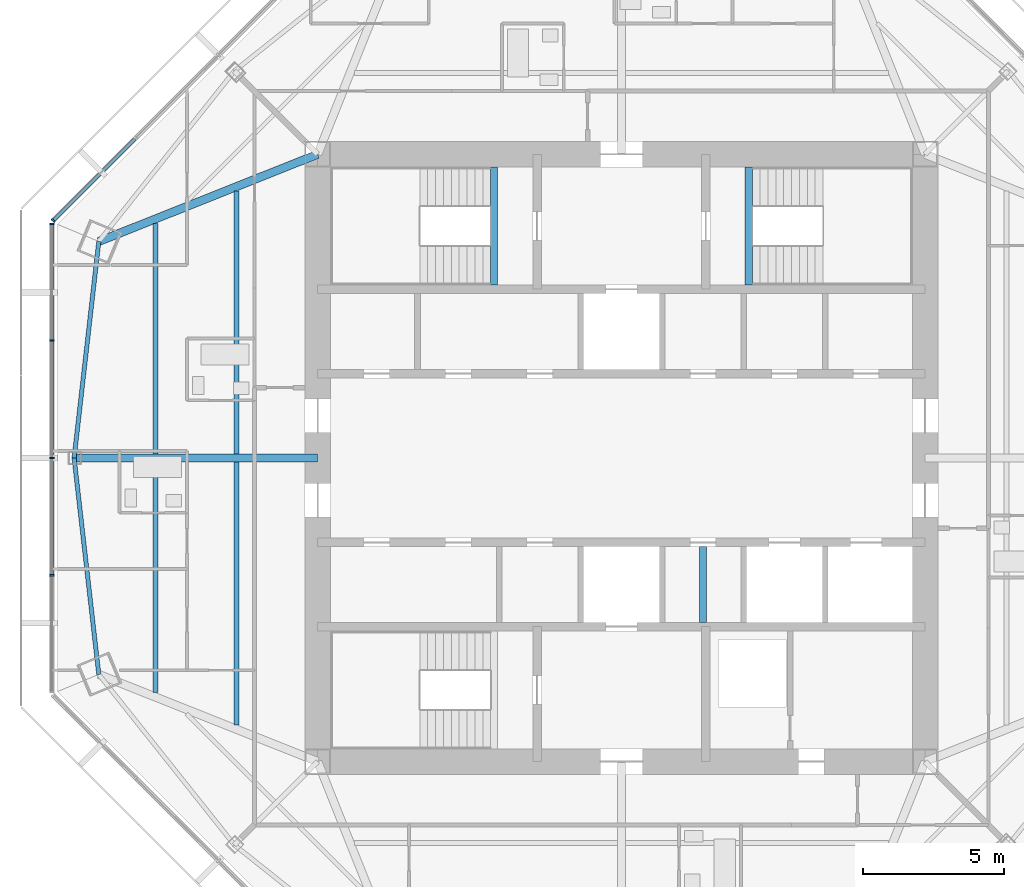
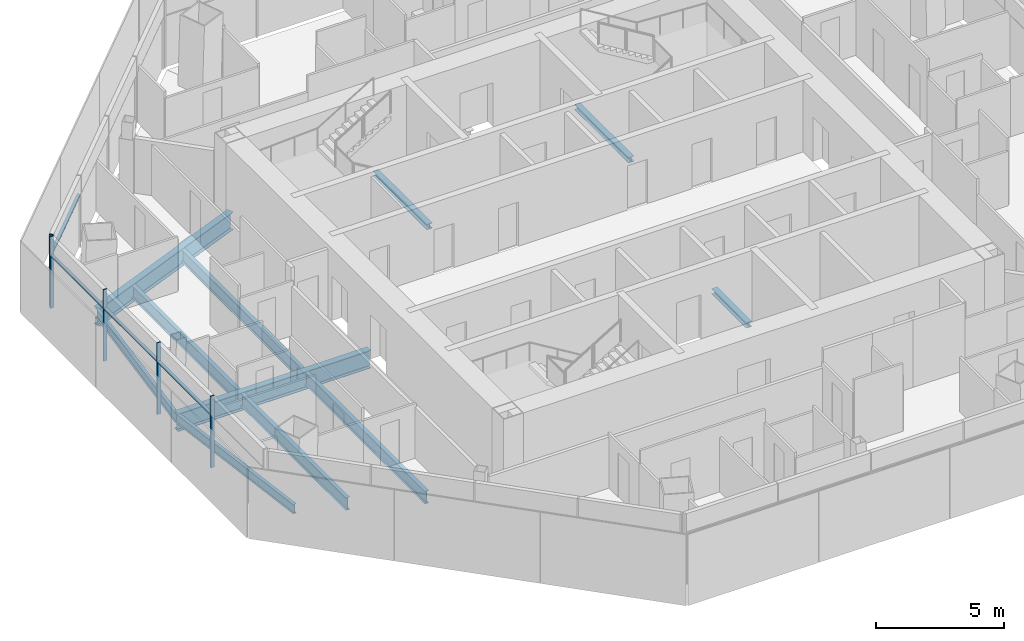
# One storey, part 4 of 15: 11 beams, 9 members, 2 elements without a shape of their own.
"""IFC4 building model written with IfcOpenShell, lengths in metres."""

from ifc_helpers import new_model, si_unit, direction, frame, origin, origin_2d, place, context, subcontext, project, spatial, rectangle, i_section, extrude, source, transform, mapped, material, material_profile, profile_set, type_object, type_shapes, element, aggregate, save


model = new_model("IFC4")

# Units and contexts
model_context = context("Model", 3, precision=1e-05, world=origin(), true_north=direction((0.0, 1.0)))
body_context = subcontext(model_context, "Body", "Model", "MODEL_VIEW")
ifc_project = project(units=[si_unit("LENGTHUNIT", "METRE"), si_unit("AREAUNIT", "SQUARE_METRE"), si_unit("VOLUMEUNIT", "CUBIC_METRE"), si_unit("PLANEANGLEUNIT", "RADIAN"), si_unit("MASSUNIT", "GRAM", prefix="KILO")], contexts=[model_context])

# Site, building, storey
site_placement = place(None, origin())
site = spatial("IfcSite", under=ifc_project, at=site_placement, CompositionType="ELEMENT")
building_placement = place(site_placement, origin())
building = spatial("IfcBuilding", under=site, at=building_placement, Name="Mashrafa Tower", CompositionType="ELEMENT")
storey_placement = place(building_placement, frame((0.0, 0.0, 274.199951171875)))
storey = spatial("IfcBuildingStorey", under=building, at=storey_placement, Name="L66", CompositionType="ELEMENT", Elevation=274.199951171875)

# Beams
ifc_material_1 = material(Name="Steel ASTM A992", Category="steel")
ifc_material_profile_1 = material_profile(ifc_material_1, i_section(OverallWidth=0.15234375, OverallDepth=0.449462890625, WebThickness=0.007568359375, FlangeThickness=0.0107421875, FilletRadius=0.01025390625, at=origin_2d()), Name="W18X35")
ifc_profile_set_1 = profile_set([ifc_material_profile_1], Name="Steel ASTM A992")
beam_type_1 = type_object("IfcBeamType", Name="Beam W18X35", PredefinedType="BEAM", material=ifc_profile_set_1)
for number, where, z_axis, x_axis, name in (
    (1, (-19.463623046875, 0.0, -0.4248046875), (0.113339530152, -0.993556314914, 0.0), (0.993556314914, 0.113339530152, 0.0), "Spandrel beam L66 041"),
    (2, (-18.58544921875, 7.6982421875, -0.4248046875), (-0.113339530152, -0.993556314914, 0.0), (0.993556314914, -0.113339530152, 0.0), "Spandrel beam L66 043"),
):
    element("IfcBeam", number, at=place(storey_placement, frame(where, z_axis=z_axis, x_axis=x_axis)), inside=storey, type_object=beam_type_1, Name=name, PredefinedType="BEAM", context=body_context, shape_type="SweptSolid", body=[
        extrude(i_section(OverallWidth=0.15234375, OverallDepth=0.449462890625, WebThickness=0.007568359375, FlangeThickness=0.0107421875, FilletRadius=0.01025390625, at=origin_2d()), origin(), (0.0, 0.0, 1.0), 7.748291015625),
    ])
ifc_material_2 = material(Name="Steel ASTM A992", Category="steel")
ifc_material_profile_2 = material_profile(ifc_material_2, i_section(OverallWidth=0.177978515625, OverallDepth=0.599365234375, WebThickness=0.010009765625, FlangeThickness=0.012939453125, FilletRadius=0.012939453125, at=origin_2d()), Name="W24X55")
ifc_profile_set_2 = profile_set([ifc_material_profile_2], Name="Steel ASTM A992")
beam_type_2 = type_object("IfcBeamType", Name="Beam W24X55", PredefinedType="BEAM", material=ifc_profile_set_2)
for number, where, z_axis, x_axis, name in (
    (3, (-16.57568359375, -8.341796875, -0.499755859375), (0.0, 1.0, 0.0), (-1.0, 0.0, 0.0), "Floor beam L66 001"),
    (4, (-16.57568359375, 0.14599609375, -0.499755859375), (0.0, 1.0, 0.0), (-1.0, 0.0, 0.0), "Floor beam L66 002"),
):
    element("IfcBeam", number, at=place(storey_placement, frame(where, z_axis=z_axis, x_axis=x_axis)), inside=storey, type_object=beam_type_2, Name=name, PredefinedType="BEAM", context=body_context, shape_type="SweptSolid", body=[
        extrude(i_section(OverallWidth=0.177978515625, OverallDepth=0.599365234375, WebThickness=0.010009765625, FlangeThickness=0.012939453125, FilletRadius=0.012939453125, at=origin_2d()), origin(), (0.0, 0.0, 1.0), 8.19580078125),
    ])
for number, where, z_axis, x_axis, name in (
    (5, (-13.68798828125, -9.4921875, -0.499755859375), (0.0, 1.0, 0.0), (-1.0, 0.0, 0.0), "Floor beam L66 004"),
    (6, (-13.68798828125, 0.14599609375, -0.499755859375), (0.0, 1.0, 0.0), (-1.0, 0.0, 0.0), "Floor beam L66 005"),
):
    element("IfcBeam", number, at=place(storey_placement, frame(where, z_axis=z_axis, x_axis=x_axis)), inside=storey, type_object=beam_type_2, Name=name, PredefinedType="BEAM", context=body_context, shape_type="SweptSolid", body=[
        extrude(i_section(OverallWidth=0.177978515625, OverallDepth=0.599365234375, WebThickness=0.010009765625, FlangeThickness=0.012939453125, FilletRadius=0.012939453125, at=origin_2d()), origin(), (0.0, 0.0, 1.0), 9.34619140625),
    ])
ifc_material_3 = material(Name="Steel ASTM A992", Category="steel")
ifc_material_profile_3 = material_profile(ifc_material_3, i_section(OverallWidth=0.2919921875, OverallDepth=0.8408203125, WebThickness=0.0146484375, FlangeThickness=0.021728515625, FilletRadius=0.017333984375, at=origin_2d()), Name="W33X130")
ifc_profile_set_3 = profile_set([ifc_material_profile_3], Name="Steel ASTM A992")
beam_type_3 = type_object("IfcBeamType", Name="Beam W33X130", PredefinedType="BEAM", material=ifc_profile_set_3)
beam_1_placement = place(storey_placement, frame((-10.800048828125, 10.800048828125, -0.620361328125), z_axis=(-0.928984121052, -0.370119579101, 0.0), x_axis=(0.370119579101, -0.928984121052, 0.0)))
element("IfcBeam", 7, at=beam_1_placement, inside=storey, type_object=beam_type_3, Name="Radial girder L66 029", PredefinedType="BEAM", context=body_context, shape_type="SweptSolid", body=[
    extrude(i_section(OverallWidth=0.2919921875, OverallDepth=0.8408203125, WebThickness=0.0146484375, FlangeThickness=0.021728515625, FilletRadius=0.017333984375, at=origin_2d()), origin(), (0.0, 0.0, 1.0), 8.380615234375),
])
ifc_material_4 = material(Name="Steel ASTM A992", Category="steel")
ifc_material_profile_4 = material_profile(ifc_material_4, i_section(OverallWidth=0.2919921875, OverallDepth=0.845703125, WebThickness=0.015380859375, FlangeThickness=0.0244140625, FilletRadius=0.017333984375, at=origin_2d()), Name="W33X141")
ifc_profile_set_4 = profile_set([ifc_material_profile_4], Name="Steel ASTM A992")
beam_type_4 = type_object("IfcBeamType", Name="Beam W33X141", PredefinedType="BEAM", material=ifc_profile_set_4)
beam_2_placement = place(storey_placement, frame((-10.800048828125, 0.0, -0.622802734375), z_axis=(-1.0, 0.0, 0.0), x_axis=(0.0, -1.0, 0.0)))
element("IfcBeam", 8, at=beam_2_placement, inside=storey, type_object=beam_type_4, Name="Radial girder L66 028", PredefinedType="BEAM", context=body_context, shape_type="SweptSolid", body=[
    extrude(i_section(OverallWidth=0.2919921875, OverallDepth=0.845703125, WebThickness=0.015380859375, FlangeThickness=0.0244140625, FilletRadius=0.017333984375, at=origin_2d()), origin(), (0.0, 0.0, 1.0), 8.66357421875),
])
ifc_material_5 = material(Name="Steel ASTM A992", Category="steel")
ifc_material_profile_5 = material_profile(ifc_material_5, i_section(OverallWidth=0.25390625, OverallDepth=0.25390625, WebThickness=0.008544921875, FlangeThickness=0.01416015625, FilletRadius=0.010009765625, at=origin_2d()), Name="W10X49")
ifc_profile_set_5 = profile_set([ifc_material_profile_5], Name="Steel ASTM A992")
beam_type_5 = type_object("IfcBeamType", Name="Hoistway beam W10X49", PredefinedType="BEAM", material=ifc_profile_set_5)
beam_3_placement = place(storey_placement, frame((2.89990234375, -5.85009765625, -0.326904296875), z_axis=(0.0, 1.0, 0.0), x_axis=(-1.0, 0.0, 0.0)))
element("IfcBeam", 9, at=beam_3_placement, inside=storey, type_object=beam_type_5, Name="Hoistway beam L66 08", PredefinedType="BEAM", context=body_context, shape_type="SweptSolid", body=[
    extrude(i_section(OverallWidth=0.25390625, OverallDepth=0.25390625, WebThickness=0.008544921875, FlangeThickness=0.01416015625, FilletRadius=0.010009765625, at=origin_2d()), origin(), (0.0, 0.0, 1.0), 2.7001953125),
])
for number, where, z_axis, x_axis, name in (
    (10, (-4.530029296875, 6.14990234375, -0.326904296875), (0.0, 1.0, 0.0), (-1.0, 0.0, 0.0), "Stair S1 landing beam L66"),
    (11, (4.530029296875, 6.14990234375, -0.326904296875), (0.0, 1.0, 0.0), (-1.0, 0.0, 0.0), "Stair S2 landing beam L66"),
):
    element("IfcBeam", number, at=place(storey_placement, frame(where, z_axis=z_axis, x_axis=x_axis)), inside=storey, type_object=beam_type_5, Name=name, PredefinedType="BEAM", context=body_context, shape_type="SweptSolid", body=[
        extrude(i_section(OverallWidth=0.25390625, OverallDepth=0.25390625, WebThickness=0.008544921875, FlangeThickness=0.01416015625, FilletRadius=0.010009765625, at=origin_2d()), origin(), (0.0, 0.0, 1.0), 4.2001953125),
    ])

# Curtain wall, member
ifc_material_6 = material(Name="Unitised aluminium curtain wall", Category="aluminium")
curtain_wall_type = type_object("IfcCurtainWallType", Name="Apartment curtain wall, zone 4 CW-D 160 deep", PredefinedType="NOTDEFINED", material=ifc_material_6)
curtain_wall_1_placement = place(storey_placement, origin())
curtain_wall_1 = element("IfcCurtainWall", 12, at=curtain_wall_1_placement, inside=storey, type_object=curtain_wall_type, Name="Apartment curtain wall, zone 4 L66 north-west", PredefinedType="NOTDEFINED")
ifc_material_7 = material(Name="Extruded aluminium mullion", Category="aluminium")
ifc_material_profile_6 = material_profile(ifc_material_7, rectangle(XDim=0.159912109375, YDim=0.06005859375, at=origin_2d()), Name="Mullion 60x160")
ifc_profile_set_6 = profile_set([ifc_material_profile_6], Name="Extruded aluminium mullion")
member_type_1 = type_object("IfcMemberType", Name="Mullion CW-D 60 x 160", PredefinedType="MULLION", material=ifc_profile_set_6)
shared_shape_1 = source(origin(), body_context, "Body", "SweptSolid", [
    extrude(rectangle(XDim=0.159912109375, YDim=0.06005859375, at=origin_2d()), origin(), (0.0, 0.0, 1.0), 3.400146484375),
])
type_shapes(member_type_1, [shared_shape_1])
member_1_placement = place(storey_placement, frame((-20.206298828125, 8.44287109375, 0.0), z_axis=(0.0, 0.0, 1.0), x_axis=(0.707106781187, -0.707106781187, 0.0)))
member_1 = element("IfcMember", 13, at=member_1_placement, type_object=member_type_1, Name="CW-D mullion 5", PredefinedType="MULLION", context=body_context, shape_type="MappedRepresentation", body=[
    mapped(shared_shape_1, transform((0.0, 0.0, 0.0))),
])

# Curtain wall, members
curtain_wall_2_placement = place(storey_placement, origin())
curtain_wall_2 = element("IfcCurtainWall", 14, at=curtain_wall_2_placement, inside=storey, type_object=curtain_wall_type, Name="Apartment curtain wall, zone 4 L66 west", PredefinedType="NOTDEFINED")
member_2_placement = place(storey_placement, frame((-20.258056640625, 8.318115234375, 0.0), z_axis=(0.0, 0.0, 1.0), x_axis=(1.0, 0.0, 0.0)))
member_2 = element("IfcMember", 15, at=member_2_placement, type_object=member_type_1, Name="CW-D mullion 1", PredefinedType="MULLION", context=body_context, shape_type="MappedRepresentation", body=[
    mapped(shared_shape_1, transform((0.0, 0.0, 0.0))),
])
member_3_placement = place(storey_placement, frame((-20.258056640625, 4.174072265625, 0.0), z_axis=(0.0, 0.0, 1.0), x_axis=(1.0, 0.0, 0.0)))
member_3 = element("IfcMember", 16, at=member_3_placement, type_object=member_type_1, Name="CW-D mullion 2", PredefinedType="MULLION", context=body_context, shape_type="MappedRepresentation", body=[
    mapped(shared_shape_1, transform((0.0, 0.0, 0.0))),
])
member_4_placement = place(storey_placement, frame((-20.258056640625, 0.0, 0.0), z_axis=(0.0, 0.0, 1.0), x_axis=(1.0, 0.0, 0.0)))
member_4 = element("IfcMember", 17, at=member_4_placement, type_object=member_type_1, Name="CW-D mullion 3", PredefinedType="MULLION", context=body_context, shape_type="MappedRepresentation", body=[
    mapped(shared_shape_1, transform((0.0, 0.0, 0.0))),
])
member_5_placement = place(storey_placement, frame((-20.258056640625, -4.174072265625, 0.0), z_axis=(0.0, 0.0, 1.0), x_axis=(1.0, 0.0, 0.0)))
member_5 = element("IfcMember", 18, at=member_5_placement, type_object=member_type_1, Name="CW-D mullion 4", PredefinedType="MULLION", context=body_context, shape_type="MappedRepresentation", body=[
    mapped(shared_shape_1, transform((0.0, 0.0, 0.0))),
])

# Member
ifc_material_8 = material(Name="Extruded aluminium transom", Category="aluminium")
ifc_material_profile_7 = material_profile(ifc_material_8, rectangle(XDim=0.1279296875, YDim=0.074951171875, at=origin_2d()), Name="Transom 75x128")
ifc_profile_set_7 = profile_set([ifc_material_profile_7], Name="Extruded aluminium transom")
member_type_2 = type_object("IfcMemberType", Name="Transom CW-D 75 x 128", PredefinedType="MULLION", material=ifc_profile_set_7)
shared_shape_2 = source(origin(), body_context, "Body", "SweptSolid", [
    extrude(rectangle(XDim=0.1279296875, YDim=0.074951171875, at=origin_2d()), origin(), (0.0, 0.0, 1.0), 4.083984375),
])
member_6_placement = place(storey_placement, frame((-17.297119140625, 11.351806640625, 2.5), z_axis=(-0.707136670515, -0.707076890595, 0.0), x_axis=(0.707076890595, -0.707136670515, 0.0)))
member_6 = element("IfcMember", 19, at=member_6_placement, type_object=member_type_2, Name="CW-D transom 4", PredefinedType="MULLION", context=body_context, shape_type="MappedRepresentation", body=[
    mapped(shared_shape_2, transform((0.0, 0.0, 0.0))),
])

aggregate(curtain_wall_1, [member_1, member_6])

member_7_placement = place(storey_placement, frame((-20.258056640625, 8.2880859375, 2.5), z_axis=(0.0, -1.0, 0.0), x_axis=(1.0, 0.0, 0.0)))
member_7 = element("IfcMember", 20, at=member_7_placement, type_object=member_type_2, Name="CW-D transom 1", PredefinedType="MULLION", context=body_context, shape_type="MappedRepresentation", body=[
    mapped(shared_shape_2, transform((0.0, 0.0, 0.0))),
])

shared_shape_3 = source(origin(), body_context, "Body", "SweptSolid", [
    extrude(rectangle(XDim=0.1279296875, YDim=0.074951171875, at=origin_2d()), origin(), (0.0, 0.0, 1.0), 4.114013671875),
])
type_shapes(member_type_2, [shared_shape_2, shared_shape_3])
member_8_placement = place(storey_placement, frame((-20.258056640625, 4.14404296875, 2.5), z_axis=(0.0, -1.0, 0.0), x_axis=(1.0, 0.0, 0.0)))
member_8 = element("IfcMember", 21, at=member_8_placement, type_object=member_type_2, Name="CW-D transom 2", PredefinedType="MULLION", context=body_context, shape_type="MappedRepresentation", body=[
    mapped(shared_shape_3, transform((0.0, 0.0, 0.0))),
])

member_9_placement = place(storey_placement, frame((-20.258056640625, -0.030029296875, 2.5), z_axis=(0.0, -1.0, 0.0), x_axis=(1.0, 0.0, 0.0)))
member_9 = element("IfcMember", 22, at=member_9_placement, type_object=member_type_2, Name="CW-D transom 3", PredefinedType="MULLION", context=body_context, shape_type="MappedRepresentation", body=[
    mapped(shared_shape_3, transform((0.0, 0.0, 0.0))),
])

aggregate(curtain_wall_2, [member_2, member_3, member_4, member_5, member_7, member_8, member_9])

save(model, "model.ifc")
